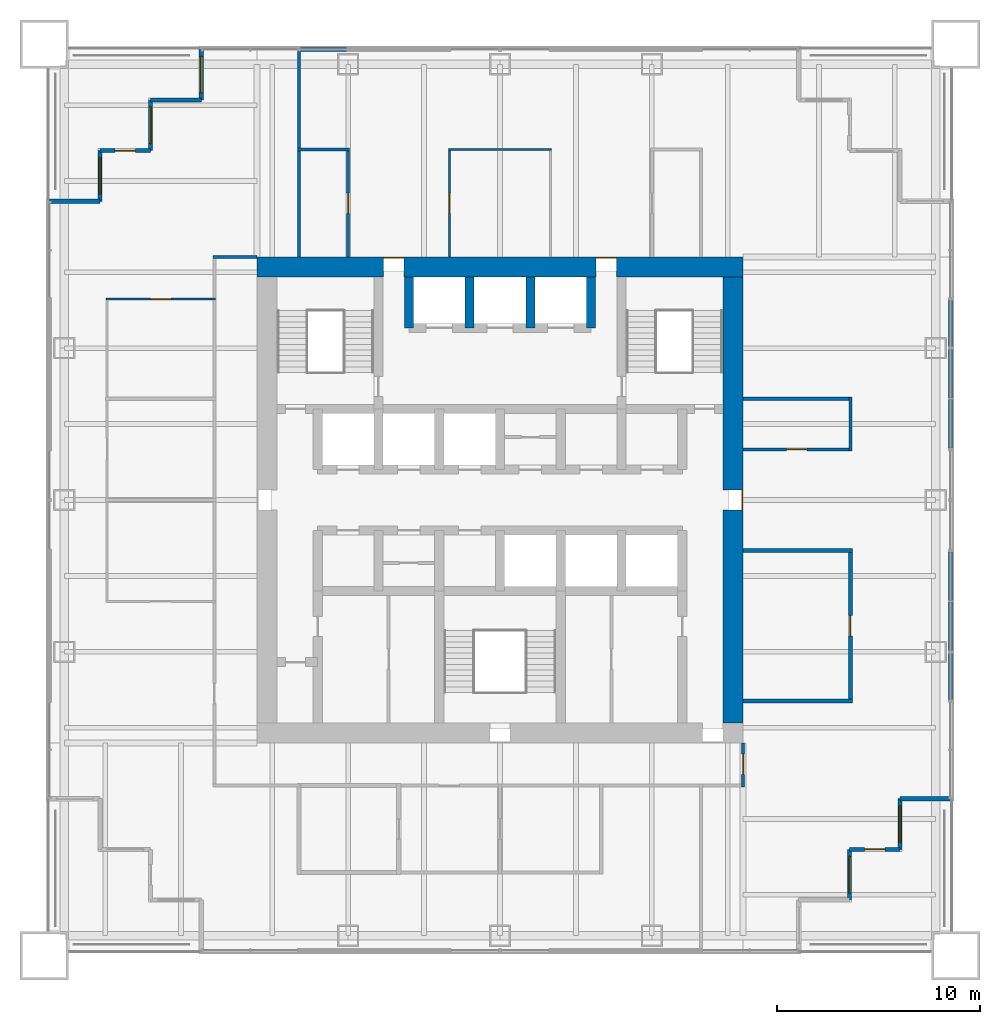
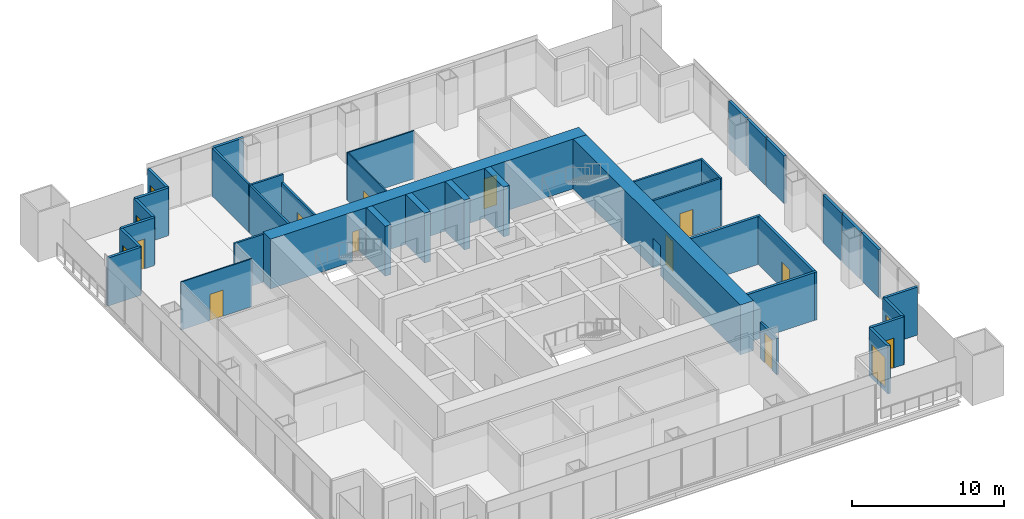
# One storey, part 10 of 13: 37 walls, 11 doors, 5 windows, 16 openings.
"""IFC4 building model written with IfcOpenShell, lengths in metres."""

from ifc_helpers import new_model, si_unit, direction, frame, frame_2d, origin, place, context, subcontext, project, spatial, rectangle, extrude, material, layer, layer_set, type_object, element, fill, save


model = new_model("IFC4")

# Units and contexts
model_context = context("Model", 3, precision=1e-05, world=origin(), true_north=direction((0.0, 1.0)))
body_context = subcontext(model_context, "Body", "Model", "MODEL_VIEW")
ifc_project = project(units=[si_unit("LENGTHUNIT", "METRE"), si_unit("AREAUNIT", "SQUARE_METRE"), si_unit("VOLUMEUNIT", "CUBIC_METRE"), si_unit("PLANEANGLEUNIT", "RADIAN"), si_unit("MASSUNIT", "GRAM", prefix="KILO")], contexts=[model_context])

# Site, building, storey
site_placement = place(None, origin())
site = spatial("IfcSite", under=ifc_project, at=site_placement, CompositionType="ELEMENT")
building_placement = place(site_placement, origin())
building = spatial("IfcBuilding", under=site, at=building_placement, Name="Tarangal Relay Tower", CompositionType="ELEMENT")
storey_placement = place(building_placement, frame((0.0, 0.0, 237.89990234375)))
storey = spatial("IfcBuildingStorey", under=building, at=storey_placement, Name="L51", CompositionType="ELEMENT", Elevation=237.89990234375)

# Walls
ifc_material_1 = material(Name="Two layers gypsum board each side on twin steel studs, mineral wool", Category="steel")
ifc_layer_1 = layer(ifc_material_1, 0.199951171875)
ifc_layer_set_1 = layer_set([ifc_layer_1], Name="Acoustic partition 200")
wall_type_1 = type_object("IfcWallType", Name="Acoustic partition 200", PredefinedType="PARTITIONING", material=ifc_layer_set_1)
for number, where, z_axis, x_axis, name in (
    (1, (12.0, -9.9169921875, 0.0), (0.0, 0.0, 1.0), (1.0, 0.0, 0.0), "Partition PT2 L51"),
    (2, (12.0, -2.5, 0.0), (0.0, 0.0, 1.0), (1.0, 0.0, 0.0), "Partition PT2 L51"),
):
    element("IfcWall", number, at=place(storey_placement, frame(where, z_axis=z_axis, x_axis=x_axis)), inside=storey, type_object=wall_type_1, Name=name, PredefinedType="PARTITIONING", context=body_context, shape_type="SweptSolid", body=[
        extrude(rectangle(XDim=5.39990234375, YDim=0.199951171875, at=frame_2d((2.699951171875, 0.0))), origin(), (0.0, 0.0, 1.0), 3.85009765625),
    ])

# Wall, opening, door
wall_1_placement = place(storey_placement, frame((17.300048828125, -10.01708984375, 0.0), z_axis=(0.0, 0.0, 1.0), x_axis=(0.0, 1.0, 0.0)))
wall_1 = element("IfcWall", 3, at=wall_1_placement, inside=storey, type_object=wall_type_1, Name="Partition PT2 L51", PredefinedType="PARTITIONING", context=body_context, shape_type="SweptSolid", body=[
    extrude(rectangle(XDim=7.6171875, YDim=0.199951171875, at=frame_2d((3.80859375, 0.0))), origin(), (0.0, 0.0, 1.0), 3.85009765625),
])
opening_1_placement = place(wall_1_placement, frame((3.30859375, 0.0, 0.0)))
opening_1 = element("IfcOpeningElement", 4, at=opening_1_placement, cuts=wall_1, Name="Opening D2", PredefinedType="OPENING", context=body_context, shape_type="SweptSolid", body=[
    extrude(rectangle(XDim=1.0, YDim=2.10009765625, at=frame_2d((0.5, 1.050048828125))), frame((0.0, 0.10986328125, 0.0), z_axis=(0.0, -1.0, 0.0), x_axis=(1.0, 0.0, 0.0)), (0.0, 0.0, 1.0), 0.219970703125),
])
ifc_material_2 = material(Name="Hardwood door", Category="wood")
door_type_1 = type_object("IfcDoorType", Name="Door 1000 x 2100", OperationType="SINGLE_SWING_LEFT", PredefinedType="DOOR", material=ifc_material_2)
door_1_placement = place(opening_1_placement, origin())
door_1 = element("IfcDoor", 5, at=door_1_placement, inside=storey, type_object=door_type_1, Name="Door D2 to boardroom L51-06", OperationType="SINGLE_SWING_LEFT", OverallHeight=2.10009765625, OverallWidth=1.0, PredefinedType="DOOR", context=body_context, shape_type="SweptSolid", body=[
    extrude(rectangle(XDim=1.0, YDim=2.10009765625, at=frame_2d((0.5, 1.050048828125))), frame((0.0, 0.02490234375, 0.0), z_axis=(0.0, -1.0, 0.0), x_axis=(1.0, 0.0, 0.0)), (0.0, 0.0, 1.0), 0.050048828125),
])
fill(opening_1, door_1)

# Walls
ifc_material_3 = material(Name="Concrete fc' 60 MPa", Category="concrete")
ifc_layer_2 = layer(ifc_material_3, 0.449951171875)
ifc_layer_set_2 = layer_set([ifc_layer_2], Name="Core inner wall 450")
wall_type_2 = type_object("IfcWallType", Name="Core inner wall 450", PredefinedType="SHEAR", material=ifc_layer_set_2)
for number, where, z_axis, x_axis, name in (
    (6, (-4.5, 8.5, 0.0), (0.0, 0.0, 1.0), (0.0, 1.0, 0.0), "Core wall XM45 L51"),
    (7, (4.5, 8.5, 0.0), (0.0, 0.0, 1.0), (0.0, 1.0, 0.0), "Core wall X45 L51"),
    (8, (-1.5, 8.5, 0.0), (0.0, 0.0, 1.0), (0.0, 1.0, 0.0), "Core wall XM15 L51"),
    (9, (1.5, 8.5, 0.0), (0.0, 0.0, 1.0), (0.0, 1.0, 0.0), "Core wall X15 L51"),
):
    element("IfcWall", number, at=place(storey_placement, frame(where, z_axis=z_axis, x_axis=x_axis)), inside=storey, type_object=wall_type_2, Name=name, PredefinedType="SHEAR", context=body_context, shape_type="SweptSolid", body=[
        extrude(rectangle(XDim=2.5, YDim=0.449951171875, at=frame_2d((1.25, 0.0))), origin(), (0.0, 0.0, 1.0), 4.0),
    ])

# Wall, openings, doors
ifc_layer_3 = layer(ifc_material_3, 1.0)
ifc_layer_set_3 = layer_set([ifc_layer_3], Name="Core wall 1000")
wall_type_3 = type_object("IfcWallType", Name="Core wall 1000", PredefinedType="SHEAR", material=ifc_layer_set_3)
wall_2_placement = place(storey_placement, frame((-12.0, 11.5, 0.0), z_axis=(0.0, 0.0, 1.0), x_axis=(1.0, 0.0, 0.0)))
wall_2 = element("IfcWall", 10, at=wall_2_placement, inside=storey, type_object=wall_type_3, Name="Core wall N L51", PredefinedType="SHEAR", context=body_context, shape_type="SweptSolid", body=[
    extrude(rectangle(XDim=24.0, YDim=1.0, at=frame_2d((12.0, 0.0))), origin(), (0.0, 0.0, 1.0), 4.0),
])
opening_2_placement = place(wall_2_placement, frame((6.25, 0.0, 0.0)))
opening_2 = element("IfcOpeningElement", 11, at=opening_2_placement, cuts=wall_2, Name="Opening FD3", PredefinedType="OPENING", context=body_context, shape_type="SweptSolid", body=[
    extrude(rectangle(XDim=1.0, YDim=2.39990234375, at=frame_2d((0.5, 1.199951171875))), frame((0.0, 0.510009765625, 0.0), z_axis=(0.0, -1.0, 0.0), x_axis=(1.0, 0.0, 0.0)), (0.0, 0.0, 1.0), 1.02001953125),
])
opening_3_placement = place(wall_2_placement, frame((16.75, 0.0, 0.0)))
opening_3 = element("IfcOpeningElement", 12, at=opening_3_placement, cuts=wall_2, Name="Opening FD3", PredefinedType="OPENING", context=body_context, shape_type="SweptSolid", body=[
    extrude(rectangle(XDim=1.0, YDim=2.39990234375, at=frame_2d((0.5, 1.199951171875))), frame((0.0, 0.510009765625, 0.0), z_axis=(0.0, -1.0, 0.0), x_axis=(1.0, 0.0, 0.0)), (0.0, 0.0, 1.0), 1.02001953125),
])
ifc_material_4 = material(Name="Steel door with hardwood frame", Category="steel")
door_type_2 = type_object("IfcDoorType", Name="Fire door 1000 x 2400 core entry", OperationType="SINGLE_SWING_RIGHT", PredefinedType="DOOR", material=ifc_material_4)
door_2_placement = place(opening_2_placement, origin())
door_2 = element("IfcDoor", 13, at=door_2_placement, inside=storey, type_object=door_type_2, Name="Core entry door north west L51", OperationType="SINGLE_SWING_RIGHT", OverallHeight=2.39990234375, OverallWidth=1.0, PredefinedType="DOOR", context=body_context, shape_type="SweptSolid", body=[
    extrude(rectangle(XDim=1.0, YDim=2.39990234375, at=frame_2d((0.5, 1.199951171875))), frame((0.0, 0.48486328125, 0.0), z_axis=(0.0, -1.0, 0.0), x_axis=(1.0, 0.0, 0.0)), (0.0, 0.0, 1.0), 0.050048828125),
])
fill(opening_2, door_2)
door_3_placement = place(opening_3_placement, origin())
door_3 = element("IfcDoor", 14, at=door_3_placement, inside=storey, type_object=door_type_2, Name="Core entry door north east L51", OperationType="SINGLE_SWING_RIGHT", OverallHeight=2.39990234375, OverallWidth=1.0, PredefinedType="DOOR", context=body_context, shape_type="SweptSolid", body=[
    extrude(rectangle(XDim=1.0, YDim=2.39990234375, at=frame_2d((0.5, 1.199951171875))), frame((0.0, 0.48486328125, 0.0), z_axis=(0.0, -1.0, 0.0), x_axis=(1.0, 0.0, 0.0)), (0.0, 0.0, 1.0), 0.050048828125),
])
fill(opening_3, door_3)

# Wall, opening, door
wall_3_placement = place(storey_placement, frame((11.5, 11.0, 0.0), z_axis=(0.0, 0.0, 1.0), x_axis=(0.0, -1.0, 0.0)))
wall_3 = element("IfcWall", 15, at=wall_3_placement, inside=storey, type_object=wall_type_3, Name="Core wall E L51", PredefinedType="SHEAR", context=body_context, shape_type="SweptSolid", body=[
    extrude(rectangle(XDim=22.0, YDim=1.0, at=frame_2d((11.0, 0.0))), origin(), (0.0, 0.0, 1.0), 4.0),
])
opening_4_placement = place(wall_3_placement, frame((10.5, 0.0, 0.0)))
opening_4 = element("IfcOpeningElement", 16, at=opening_4_placement, cuts=wall_3, Name="Opening FD3", PredefinedType="OPENING", context=body_context, shape_type="SweptSolid", body=[
    extrude(rectangle(XDim=1.0, YDim=2.39990234375, at=frame_2d((0.5, 1.199951171875))), frame((0.0, 0.510009765625, 0.0), z_axis=(0.0, -1.0, 0.0), x_axis=(1.0, 0.0, 0.0)), (0.0, 0.0, 1.0), 1.02001953125),
])
door_4_placement = place(opening_4_placement, origin())
door_4 = element("IfcDoor", 17, at=door_4_placement, inside=storey, type_object=door_type_2, Name="Core entry door east L51", OperationType="SINGLE_SWING_RIGHT", OverallHeight=2.39990234375, OverallWidth=1.0, PredefinedType="DOOR", context=body_context, shape_type="SweptSolid", body=[
    extrude(rectangle(XDim=1.0, YDim=2.39990234375, at=frame_2d((0.5, 1.199951171875))), frame((0.0, 0.48486328125, 0.0), z_axis=(0.0, -1.0, 0.0), x_axis=(1.0, 0.0, 0.0)), (0.0, 0.0, 1.0), 0.050048828125),
])
fill(opening_4, door_4)

# Wall
ifc_material_5 = material(Name="Black metal clad insulated wall", Category="steel")
ifc_layer_4 = layer(ifc_material_5, 0.199951171875)
ifc_layer_set_4 = layer_set([ifc_layer_4], Name="Corner wall metal clad 200")
wall_type_4 = type_object("IfcWallType", Name="Corner wall metal clad 200", PredefinedType="SOLIDWALL", material=ifc_layer_set_4)
wall_4_placement = place(storey_placement, frame((22.25, -14.75, 0.0), z_axis=(0.0, 0.0, 1.0), x_axis=(-1.0, 0.0, 0.0)))
element("IfcWall", 18, at=wall_4_placement, inside=storey, type_object=wall_type_4, Name="Facade wall E facade L51", PredefinedType="SOLIDWALL", context=body_context, shape_type="SweptSolid", body=[
    extrude(rectangle(XDim=2.5, YDim=0.199951171875, at=frame_2d((1.25, 0.0))), origin(), (0.0, 0.0, 1.0), 3.85009765625),
])

# Wall, opening, window
wall_5_placement = place(storey_placement, frame((19.75, -14.75, 0.0), z_axis=(0.0, 0.0, 1.0), x_axis=(0.0, -1.0, 0.0)))
wall_5 = element("IfcWall", 19, at=wall_5_placement, inside=storey, type_object=wall_type_4, Name="Facade wall E facade L51", PredefinedType="SOLIDWALL", context=body_context, shape_type="SweptSolid", body=[
    extrude(rectangle(XDim=2.5, YDim=0.199951171875, at=frame_2d((1.25, 0.0))), origin(), (0.0, 0.0, 1.0), 3.85009765625),
])
opening_5_placement = place(wall_5_placement, frame((0.35009765625, 0.0, 0.300048828125)))
opening_5 = element("IfcOpeningElement", 20, at=opening_5_placement, cuts=wall_5, Name="Opening WN2", PredefinedType="OPENING", context=body_context, shape_type="SweptSolid", body=[
    extrude(rectangle(XDim=1.800048828125, YDim=2.39990234375, at=frame_2d((0.89990234375, 1.199951171875))), frame((0.0, 0.10986328125, 0.0), z_axis=(0.0, -1.0, 0.0), x_axis=(1.0, 0.0, 0.0)), (0.0, 0.0, 1.0), 0.219970703125),
])
ifc_material_6 = material(Name="Dark tinted double glazing in black aluminium frame", Category="aluminium")
window_type = type_object("IfcWindowType", Name="Corner window 1800 x 2400", PartitioningType="SINGLE_PANEL", PredefinedType="WINDOW", material=ifc_material_6)
window_1_placement = place(opening_5_placement, origin())
window_1 = element("IfcWindow", 21, at=window_1_placement, inside=storey, type_object=window_type, Name="Corner window WN2 E facade L51", OverallHeight=2.39990234375, OverallWidth=1.800048828125, PartitioningType="SINGLE_PANEL", PredefinedType="WINDOW", context=body_context, shape_type="SweptSolid", body=[
    extrude(rectangle(XDim=1.800048828125, YDim=2.39990234375, at=frame_2d((0.89990234375, 1.199951171875))), frame((0.0, 0.030029296875, 0.0), z_axis=(0.0, -1.0, 0.0), x_axis=(1.0, 0.0, 0.0)), (0.0, 0.0, 1.0), 0.06005859375),
])
fill(opening_5, window_1)

# Wall, opening, door
wall_6_placement = place(storey_placement, frame((19.75, -17.25, 0.0), z_axis=(0.0, 0.0, 1.0), x_axis=(-1.0, 0.0, 0.0)))
wall_6 = element("IfcWall", 22, at=wall_6_placement, inside=storey, type_object=wall_type_4, Name="Facade wall E facade L51", PredefinedType="SOLIDWALL", context=body_context, shape_type="SweptSolid", body=[
    extrude(rectangle(XDim=2.5, YDim=0.199951171875, at=frame_2d((1.25, 0.0))), origin(), (0.0, 0.0, 1.0), 3.85009765625),
])
opening_6_placement = place(wall_6_placement, frame((0.75, 0.0, 0.0)))
opening_6 = element("IfcOpeningElement", 23, at=opening_6_placement, cuts=wall_6, Name="Opening TD1", PredefinedType="OPENING", context=body_context, shape_type="SweptSolid", body=[
    extrude(rectangle(XDim=1.0, YDim=2.39990234375, at=frame_2d((0.5, 1.199951171875))), frame((0.0, 0.10986328125, 0.0), z_axis=(0.0, -1.0, 0.0), x_axis=(1.0, 0.0, 0.0)), (0.0, 0.0, 1.0), 0.219970703125),
])
ifc_material_7 = material(Name="Aluminium glazed door", Category="aluminium")
door_type_3 = type_object("IfcDoorType", Name="Terrace door 1000 x 2400", OperationType="SINGLE_SWING_RIGHT", PredefinedType="DOOR", material=ifc_material_7)
door_5_placement = place(opening_6_placement, origin())
door_5 = element("IfcDoor", 24, at=door_5_placement, inside=storey, type_object=door_type_3, Name="Terrace door TD1 SE L51", OperationType="SINGLE_SWING_RIGHT", OverallHeight=2.39990234375, OverallWidth=1.0, PredefinedType="DOOR", context=body_context, shape_type="SweptSolid", body=[
    extrude(rectangle(XDim=1.0, YDim=2.39990234375, at=frame_2d((0.5, 1.199951171875))), frame((0.0, 0.02490234375, 0.0), z_axis=(0.0, -1.0, 0.0), x_axis=(1.0, 0.0, 0.0)), (0.0, 0.0, 1.0), 0.050048828125),
])
fill(opening_6, door_5)

# Wall, opening, window
wall_7_placement = place(storey_placement, frame((17.25, -17.25, 0.0), z_axis=(0.0, 0.0, 1.0), x_axis=(0.0, -1.0, 0.0)))
wall_7 = element("IfcWall", 25, at=wall_7_placement, inside=storey, type_object=wall_type_4, Name="Facade wall E facade L51", PredefinedType="SOLIDWALL", context=body_context, shape_type="SweptSolid", body=[
    extrude(rectangle(XDim=2.5, YDim=0.199951171875, at=frame_2d((1.25, 0.0))), origin(), (0.0, 0.0, 1.0), 3.85009765625),
])
opening_7_placement = place(wall_7_placement, frame((0.35009765625, 0.0, 0.300048828125)))
opening_7 = element("IfcOpeningElement", 26, at=opening_7_placement, cuts=wall_7, Name="Opening WN2", PredefinedType="OPENING", context=body_context, shape_type="SweptSolid", body=[
    extrude(rectangle(XDim=1.800048828125, YDim=2.39990234375, at=frame_2d((0.89990234375, 1.199951171875))), frame((0.0, 0.10986328125, 0.0), z_axis=(0.0, -1.0, 0.0), x_axis=(1.0, 0.0, 0.0)), (0.0, 0.0, 1.0), 0.219970703125),
])
window_2_placement = place(opening_7_placement, origin())
window_2 = element("IfcWindow", 27, at=window_2_placement, inside=storey, type_object=window_type, Name="Corner window WN2 E facade L51", OverallHeight=2.39990234375, OverallWidth=1.800048828125, PartitioningType="SINGLE_PANEL", PredefinedType="WINDOW", context=body_context, shape_type="SweptSolid", body=[
    extrude(rectangle(XDim=1.800048828125, YDim=2.39990234375, at=frame_2d((0.89990234375, 1.199951171875))), frame((0.0, 0.030029296875, 0.0), z_axis=(0.0, -1.0, 0.0), x_axis=(1.0, 0.0, 0.0)), (0.0, 0.0, 1.0), 0.06005859375),
])
fill(opening_7, window_2)

# Wall
wall_8_placement = place(storey_placement, frame((-22.25, 14.75, 0.0), z_axis=(0.0, 0.0, 1.0), x_axis=(1.0, 0.0, 0.0)))
element("IfcWall", 28, at=wall_8_placement, inside=storey, type_object=wall_type_4, Name="Facade wall W facade L51", PredefinedType="SOLIDWALL", context=body_context, shape_type="SweptSolid", body=[
    extrude(rectangle(XDim=2.5, YDim=0.199951171875, at=frame_2d((1.25, 0.0))), origin(), (0.0, 0.0, 1.0), 3.85009765625),
])

# Wall, opening, window
wall_9_placement = place(storey_placement, frame((-19.75, 14.75, 0.0), z_axis=(0.0, 0.0, 1.0), x_axis=(0.0, 1.0, 0.0)))
wall_9 = element("IfcWall", 29, at=wall_9_placement, inside=storey, type_object=wall_type_4, Name="Facade wall W facade L51", PredefinedType="SOLIDWALL", context=body_context, shape_type="SweptSolid", body=[
    extrude(rectangle(XDim=2.5, YDim=0.199951171875, at=frame_2d((1.25, 0.0))), origin(), (0.0, 0.0, 1.0), 3.85009765625),
])
opening_8_placement = place(wall_9_placement, frame((0.35009765625, 0.0, 0.300048828125)))
opening_8 = element("IfcOpeningElement", 30, at=opening_8_placement, cuts=wall_9, Name="Opening WN2", PredefinedType="OPENING", context=body_context, shape_type="SweptSolid", body=[
    extrude(rectangle(XDim=1.800048828125, YDim=2.39990234375, at=frame_2d((0.89990234375, 1.199951171875))), frame((0.0, 0.10986328125, 0.0), z_axis=(0.0, -1.0, 0.0), x_axis=(1.0, 0.0, 0.0)), (0.0, 0.0, 1.0), 0.219970703125),
])
window_3_placement = place(opening_8_placement, origin())
window_3 = element("IfcWindow", 31, at=window_3_placement, inside=storey, type_object=window_type, Name="Corner window WN2 W facade L51", OverallHeight=2.39990234375, OverallWidth=1.800048828125, PartitioningType="SINGLE_PANEL", PredefinedType="WINDOW", context=body_context, shape_type="SweptSolid", body=[
    extrude(rectangle(XDim=1.800048828125, YDim=2.39990234375, at=frame_2d((0.89990234375, 1.199951171875))), frame((0.0, 0.030029296875, 0.0), z_axis=(0.0, -1.0, 0.0), x_axis=(1.0, 0.0, 0.0)), (0.0, 0.0, 1.0), 0.06005859375),
])
fill(opening_8, window_3)

# Wall, opening, door
wall_10_placement = place(storey_placement, frame((-19.75, 17.25, 0.0), z_axis=(0.0, 0.0, 1.0), x_axis=(1.0, 0.0, 0.0)))
wall_10 = element("IfcWall", 32, at=wall_10_placement, inside=storey, type_object=wall_type_4, Name="Facade wall W facade L51", PredefinedType="SOLIDWALL", context=body_context, shape_type="SweptSolid", body=[
    extrude(rectangle(XDim=2.5, YDim=0.199951171875, at=frame_2d((1.25, 0.0))), origin(), (0.0, 0.0, 1.0), 3.85009765625),
])
opening_9_placement = place(wall_10_placement, frame((0.75, 0.0, 0.0)))
opening_9 = element("IfcOpeningElement", 33, at=opening_9_placement, cuts=wall_10, Name="Opening TD1", PredefinedType="OPENING", context=body_context, shape_type="SweptSolid", body=[
    extrude(rectangle(XDim=1.0, YDim=2.39990234375, at=frame_2d((0.5, 1.199951171875))), frame((0.0, 0.10986328125, 0.0), z_axis=(0.0, -1.0, 0.0), x_axis=(1.0, 0.0, 0.0)), (0.0, 0.0, 1.0), 0.219970703125),
])
door_6_placement = place(opening_9_placement, origin())
door_6 = element("IfcDoor", 34, at=door_6_placement, inside=storey, type_object=door_type_3, Name="Terrace door TD1 NW L51", OperationType="SINGLE_SWING_RIGHT", OverallHeight=2.39990234375, OverallWidth=1.0, PredefinedType="DOOR", context=body_context, shape_type="SweptSolid", body=[
    extrude(rectangle(XDim=1.0, YDim=2.39990234375, at=frame_2d((0.5, 1.199951171875))), frame((0.0, 0.02490234375, 0.0), z_axis=(0.0, -1.0, 0.0), x_axis=(1.0, 0.0, 0.0)), (0.0, 0.0, 1.0), 0.050048828125),
])
fill(opening_9, door_6)

# Wall, opening, window
wall_11_placement = place(storey_placement, frame((-17.25, 17.25, 0.0), z_axis=(0.0, 0.0, 1.0), x_axis=(0.0, 1.0, 0.0)))
wall_11 = element("IfcWall", 35, at=wall_11_placement, inside=storey, type_object=wall_type_4, Name="Facade wall W facade L51", PredefinedType="SOLIDWALL", context=body_context, shape_type="SweptSolid", body=[
    extrude(rectangle(XDim=2.5, YDim=0.199951171875, at=frame_2d((1.25, 0.0))), origin(), (0.0, 0.0, 1.0), 3.85009765625),
])
opening_10_placement = place(wall_11_placement, frame((0.35009765625, 0.0, 0.300048828125)))
opening_10 = element("IfcOpeningElement", 36, at=opening_10_placement, cuts=wall_11, Name="Opening WN2", PredefinedType="OPENING", context=body_context, shape_type="SweptSolid", body=[
    extrude(rectangle(XDim=1.800048828125, YDim=2.39990234375, at=frame_2d((0.89990234375, 1.199951171875))), frame((0.0, 0.10986328125, 0.0), z_axis=(0.0, -1.0, 0.0), x_axis=(1.0, 0.0, 0.0)), (0.0, 0.0, 1.0), 0.219970703125),
])
window_4_placement = place(opening_10_placement, origin())
window_4 = element("IfcWindow", 37, at=window_4_placement, inside=storey, type_object=window_type, Name="Corner window WN2 W facade L51", OverallHeight=2.39990234375, OverallWidth=1.800048828125, PartitioningType="SINGLE_PANEL", PredefinedType="WINDOW", context=body_context, shape_type="SweptSolid", body=[
    extrude(rectangle(XDim=1.800048828125, YDim=2.39990234375, at=frame_2d((0.89990234375, 1.199951171875))), frame((0.0, 0.030029296875, 0.0), z_axis=(0.0, -1.0, 0.0), x_axis=(1.0, 0.0, 0.0)), (0.0, 0.0, 1.0), 0.06005859375),
])
fill(opening_10, window_4)

# Wall
wall_12_placement = place(storey_placement, frame((-17.25, 19.75, 0.0), z_axis=(0.0, 0.0, 1.0), x_axis=(1.0, 0.0, 0.0)))
element("IfcWall", 38, at=wall_12_placement, inside=storey, type_object=wall_type_4, Name="Facade wall W facade L51", PredefinedType="SOLIDWALL", context=body_context, shape_type="SweptSolid", body=[
    extrude(rectangle(XDim=2.5, YDim=0.199951171875, at=frame_2d((1.25, 0.0))), origin(), (0.0, 0.0, 1.0), 3.85009765625),
])

# Wall, opening, window
wall_13_placement = place(storey_placement, frame((-14.75, 19.75, 0.0), z_axis=(0.0, 0.0, 1.0), x_axis=(0.0, 1.0, 0.0)))
wall_13 = element("IfcWall", 39, at=wall_13_placement, inside=storey, type_object=wall_type_4, Name="Facade wall W facade L51", PredefinedType="SOLIDWALL", context=body_context, shape_type="SweptSolid", body=[
    extrude(rectangle(XDim=2.5, YDim=0.199951171875, at=frame_2d((1.25, 0.0))), origin(), (0.0, 0.0, 1.0), 3.85009765625),
])
opening_11_placement = place(wall_13_placement, frame((0.35009765625, 0.0, 0.300048828125)))
opening_11 = element("IfcOpeningElement", 40, at=opening_11_placement, cuts=wall_13, Name="Opening WN2", PredefinedType="OPENING", context=body_context, shape_type="SweptSolid", body=[
    extrude(rectangle(XDim=1.800048828125, YDim=2.39990234375, at=frame_2d((0.89990234375, 1.199951171875))), frame((0.0, 0.10986328125, 0.0), z_axis=(0.0, -1.0, 0.0), x_axis=(1.0, 0.0, 0.0)), (0.0, 0.0, 1.0), 0.219970703125),
])
window_5_placement = place(opening_11_placement, origin())
window_5 = element("IfcWindow", 41, at=window_5_placement, inside=storey, type_object=window_type, Name="Corner window WN2 W facade L51", OverallHeight=2.39990234375, OverallWidth=1.800048828125, PartitioningType="SINGLE_PANEL", PredefinedType="WINDOW", context=body_context, shape_type="SweptSolid", body=[
    extrude(rectangle(XDim=1.800048828125, YDim=2.39990234375, at=frame_2d((0.89990234375, 1.199951171875))), frame((0.0, 0.030029296875, 0.0), z_axis=(0.0, -1.0, 0.0), x_axis=(1.0, 0.0, 0.0)), (0.0, 0.0, 1.0), 0.06005859375),
])
fill(opening_11, window_5)

# Walls
ifc_layer_5 = layer(ifc_material_5, 0.199951171875)
ifc_layer_set_5 = layer_set([ifc_layer_5], Name="Facade infill wall metal clad 200")
wall_type_5 = type_object("IfcWallType", Name="Facade infill wall metal clad 200", PredefinedType="SOLIDWALL", material=ifc_layer_set_5)
for number, where, z_axis, x_axis, name in (
    (42, (-9.851806640625, 22.25, 0.0), (0.0, 0.0, 1.0), (1.0, 0.0, 0.0), "Facade infill wall N facade L51 1.1"),
    (43, (22.25, 9.851806640625, 0.0), (0.0, 0.0, 1.0), (0.0, -1.0, 0.0), "Facade infill wall E facade L51 1.1"),
):
    element("IfcWall", number, at=place(storey_placement, frame(where, z_axis=z_axis, x_axis=x_axis)), inside=storey, type_object=wall_type_5, Name=name, PredefinedType="SOLIDWALL", context=body_context, shape_type="SweptSolid", body=[
        extrude(rectangle(XDim=2.286865234375, YDim=0.199951171875, at=frame_2d((1.1435546875, 0.0))), origin(), (0.0, 0.0, 1.0), 3.85009765625),
    ])
for number, where, z_axis, x_axis, name in (
    (44, (22.25, 7.43505859375, 0.0), (0.0, 0.0, 1.0), (0.0, -1.0, 0.0), "Facade infill wall E facade L51 1.1"),
    (45, (22.25, 4.967529296875, 0.0), (0.0, 0.0, 1.0), (0.0, -1.0, 0.0), "Facade infill wall E facade L51 2.1"),
    (46, (22.25, -2.56494140625, 0.0), (0.0, 0.0, 1.0), (0.0, -1.0, 0.0), "Facade infill wall E facade L51 1.1"),
    (47, (22.25, -5.032470703125, 0.0), (0.0, 0.0, 1.0), (0.0, -1.0, 0.0), "Facade infill wall E facade L51 2.1"),
):
    element("IfcWall", number, at=place(storey_placement, frame(where, z_axis=z_axis, x_axis=x_axis)), inside=storey, type_object=wall_type_5, Name=name, PredefinedType="SOLIDWALL", context=body_context, shape_type="SweptSolid", body=[
        extrude(rectangle(XDim=2.402587890625, YDim=0.199951171875, at=frame_2d((1.201171875, 0.0))), origin(), (0.0, 0.0, 1.0), 3.85009765625),
    ])
wall_14_placement = place(storey_placement, frame((22.25, -7.56494140625, 0.0), z_axis=(0.0, 0.0, 1.0), x_axis=(0.0, -1.0, 0.0)))
element("IfcWall", 48, at=wall_14_placement, inside=storey, type_object=wall_type_5, Name="Facade infill wall E facade L51 1.1", PredefinedType="SOLIDWALL", context=body_context, shape_type="SweptSolid", body=[
    extrude(rectangle(XDim=2.286865234375, YDim=0.199951171875, at=frame_2d((1.1435546875, 0.0))), origin(), (0.0, 0.0, 1.0), 3.85009765625),
])

# Wall, opening, door
ifc_material_8 = material(Name="Double glazed aluminium framed partition", Category="aluminium")
ifc_layer_6 = layer(ifc_material_8, 0.10009765625)
ifc_layer_set_6 = layer_set([ifc_layer_6], Name="Glazed partition 100")
wall_type_6 = type_object("IfcWallType", Name="Glazed partition 100", PredefinedType="PARTITIONING", material=ifc_layer_set_6)
wall_15_placement = place(storey_placement, frame((-19.449951171875, 9.9169921875, 0.0), z_axis=(0.0, 0.0, 1.0), x_axis=(1.0, 0.0, 0.0)))
wall_15 = element("IfcWall", 49, at=wall_15_placement, inside=storey, type_object=wall_type_6, Name="Partition PT3 L51", PredefinedType="PARTITIONING", context=body_context, shape_type="SweptSolid", body=[
    extrude(rectangle(XDim=5.39990234375, YDim=0.10009765625, at=frame_2d((2.699951171875, 0.0))), origin(), (0.0, 0.0, 1.0), 3.85009765625),
])
opening_12_placement = place(wall_15_placement, frame((2.199951171875, 0.0, 0.0)))
opening_12 = element("IfcOpeningElement", 50, at=opening_12_placement, cuts=wall_15, Name="Opening D3", PredefinedType="OPENING", context=body_context, shape_type="SweptSolid", body=[
    extrude(rectangle(XDim=1.0, YDim=2.10009765625, at=frame_2d((0.5, 1.050048828125))), frame((0.0, 0.06005859375, 0.0), z_axis=(0.0, -1.0, 0.0), x_axis=(1.0, 0.0, 0.0)), (0.0, 0.0, 1.0), 0.1201171875),
])
ifc_material_9 = material(Name="Frameless glass door", Category="glass")
door_type_4 = type_object("IfcDoorType", Name="Glazed door 1000 x 2100", OperationType="SINGLE_SWING_LEFT", PredefinedType="DOOR", material=ifc_material_9)
door_7_placement = place(opening_12_placement, origin())
door_7 = element("IfcDoor", 51, at=door_7_placement, inside=storey, type_object=door_type_4, Name="Door D3 to meeting room L51-12", OperationType="SINGLE_SWING_LEFT", OverallHeight=2.10009765625, OverallWidth=1.0, PredefinedType="DOOR", context=body_context, shape_type="SweptSolid", body=[
    extrude(rectangle(XDim=1.0, YDim=2.10009765625, at=frame_2d((0.5, 1.050048828125))), frame((0.0, 0.02490234375, 0.0), z_axis=(0.0, -1.0, 0.0), x_axis=(1.0, 0.0, 0.0)), (0.0, 0.0, 1.0), 0.050048828125),
])
fill(opening_12, door_7)

# Wall
wall_16_placement = place(storey_placement, frame((-2.550048828125, 17.300048828125, 0.0), z_axis=(0.0, 0.0, 1.0), x_axis=(1.0, 0.0, 0.0)))
element("IfcWall", 52, at=wall_16_placement, inside=storey, type_object=wall_type_6, Name="Partition PT3 L51", PredefinedType="PARTITIONING", context=body_context, shape_type="SweptSolid", body=[
    extrude(rectangle(XDim=5.10009765625, YDim=0.10009765625, at=frame_2d((2.550048828125, 0.0))), origin(), (0.0, 0.0, 1.0), 3.85009765625),
])

# Wall, opening, door
wall_17_placement = place(storey_placement, frame((-2.5, 12.0, 0.0), z_axis=(0.0, 0.0, 1.0), x_axis=(0.0, 1.0, 0.0)))
wall_17 = element("IfcWall", 53, at=wall_17_placement, inside=storey, type_object=wall_type_6, Name="Partition PT3 L51", PredefinedType="PARTITIONING", context=body_context, shape_type="SweptSolid", body=[
    extrude(rectangle(XDim=5.35009765625, YDim=0.10009765625, at=frame_2d((2.675048828125, 0.0))), origin(), (0.0, 0.0, 1.0), 3.85009765625),
])
opening_13_placement = place(wall_17_placement, frame((2.14990234375, 0.0, 0.0)))
opening_13 = element("IfcOpeningElement", 54, at=opening_13_placement, cuts=wall_17, Name="Opening D3", PredefinedType="OPENING", context=body_context, shape_type="SweptSolid", body=[
    extrude(rectangle(XDim=1.0, YDim=2.10009765625, at=frame_2d((0.5, 1.050048828125))), frame((0.0, 0.06005859375, 0.0), z_axis=(0.0, -1.0, 0.0), x_axis=(1.0, 0.0, 0.0)), (0.0, 0.0, 1.0), 0.1201171875),
])
door_8_placement = place(opening_13_placement, origin())
door_8 = element("IfcDoor", 55, at=door_8_placement, inside=storey, type_object=door_type_4, Name="Door D3 to meeting room L51-03", OperationType="SINGLE_SWING_LEFT", OverallHeight=2.10009765625, OverallWidth=1.0, PredefinedType="DOOR", context=body_context, shape_type="SweptSolid", body=[
    extrude(rectangle(XDim=1.0, YDim=2.10009765625, at=frame_2d((0.5, 1.050048828125))), frame((0.0, 0.02490234375, 0.0), z_axis=(0.0, -1.0, 0.0), x_axis=(1.0, 0.0, 0.0)), (0.0, 0.0, 1.0), 0.050048828125),
])
fill(opening_13, door_8)

ifc_material_10 = material(Name="Gypsum board on steel studs", Category="steel")
ifc_layer_7 = layer(ifc_material_10, 0.14990234375)
ifc_layer_set_7 = layer_set([ifc_layer_7], Name="Partition 150")
wall_type_7 = type_object("IfcWallType", Name="Partition 150", PredefinedType="PARTITIONING", material=ifc_layer_set_7)
wall_18_placement = place(storey_placement, frame((12.0, 2.5, 0.0), z_axis=(0.0, 0.0, 1.0), x_axis=(1.0, 0.0, 0.0)))
wall_18 = element("IfcWall", 56, at=wall_18_placement, inside=storey, type_object=wall_type_7, Name="Partition PT1 L51", PredefinedType="PARTITIONING", context=body_context, shape_type="SweptSolid", body=[
    extrude(rectangle(XDim=5.375, YDim=0.14990234375, at=frame_2d((2.6875, 0.0))), origin(), (0.0, 0.0, 1.0), 3.85009765625),
])
opening_14_placement = place(wall_18_placement, frame((2.14990234375, 0.0, 0.0)))
opening_14 = element("IfcOpeningElement", 57, at=opening_14_placement, cuts=wall_18, Name="Opening D2", PredefinedType="OPENING", context=body_context, shape_type="SweptSolid", body=[
    extrude(rectangle(XDim=1.0, YDim=2.10009765625, at=frame_2d((0.5, 1.050048828125))), frame((0.0, 0.0849609375, 0.0), z_axis=(0.0, -1.0, 0.0), x_axis=(1.0, 0.0, 0.0)), (0.0, 0.0, 1.0), 0.169921875),
])
door_9_placement = place(opening_14_placement, origin())
door_9 = element("IfcDoor", 58, at=door_9_placement, inside=storey, type_object=door_type_1, Name="Door D2 to tea pantry L51-05", OperationType="SINGLE_SWING_LEFT", OverallHeight=2.10009765625, OverallWidth=1.0, PredefinedType="DOOR", context=body_context, shape_type="SweptSolid", body=[
    extrude(rectangle(XDim=1.0, YDim=2.10009765625, at=frame_2d((0.5, 1.050048828125))), frame((0.0, 0.02490234375, 0.0), z_axis=(0.0, -1.0, 0.0), x_axis=(1.0, 0.0, 0.0)), (0.0, 0.0, 1.0), 0.050048828125),
])
fill(opening_14, door_9)

# Walls
wall_19_placement = place(storey_placement, frame((12.0, 5.0, 0.0), z_axis=(0.0, 0.0, 1.0), x_axis=(1.0, 0.0, 0.0)))
element("IfcWall", 59, at=wall_19_placement, inside=storey, type_object=wall_type_7, Name="Partition PT1 L51", PredefinedType="PARTITIONING", context=body_context, shape_type="SweptSolid", body=[
    extrude(rectangle(XDim=5.375, YDim=0.14990234375, at=frame_2d((2.6875, 0.0))), origin(), (0.0, 0.0, 1.0), 3.85009765625),
])
wall_20_placement = place(storey_placement, frame((-14.175048828125, 12.0, 0.0), z_axis=(0.0, 0.0, 1.0), x_axis=(1.0, 0.0, 0.0)))
element("IfcWall", 60, at=wall_20_placement, inside=storey, type_object=wall_type_7, Name="Partition PT1 L51", PredefinedType="PARTITIONING", context=body_context, shape_type="SweptSolid", body=[
    extrude(rectangle(XDim=2.175048828125, YDim=0.14990234375, at=frame_2d((1.08740234375, 0.0))), origin(), (0.0, 0.0, 1.0), 3.85009765625),
])
wall_21_placement = place(storey_placement, frame((-9.991943359375, 17.300048828125, 0.0), z_axis=(0.0, 0.0, 1.0), x_axis=(1.0, 0.0, 0.0)))
element("IfcWall", 61, at=wall_21_placement, inside=storey, type_object=wall_type_7, Name="Partition PT1 L51", PredefinedType="PARTITIONING", context=body_context, shape_type="SweptSolid", body=[
    extrude(rectangle(XDim=2.56689453125, YDim=0.14990234375, at=frame_2d((1.283447265625, 0.0))), origin(), (0.0, 0.0, 1.0), 3.85009765625),
])
wall_22_placement = place(storey_placement, frame((-9.9169921875, 12.0, 0.0), z_axis=(0.0, 0.0, 1.0), x_axis=(0.0, 1.0, 0.0)))
element("IfcWall", 62, at=wall_22_placement, inside=storey, type_object=wall_type_7, Name="Partition PT1 L51", PredefinedType="PARTITIONING", context=body_context, shape_type="SweptSolid", body=[
    extrude(rectangle(XDim=10.14990234375, YDim=0.14990234375, at=frame_2d((5.074951171875, 0.0))), origin(), (0.0, 0.0, 1.0), 3.85009765625),
])

# Wall, opening, door
wall_23_placement = place(storey_placement, frame((-7.5, 12.0, 0.0), z_axis=(0.0, 0.0, 1.0), x_axis=(0.0, 1.0, 0.0)))
wall_23 = element("IfcWall", 63, at=wall_23_placement, inside=storey, type_object=wall_type_7, Name="Partition PT1 L51", PredefinedType="PARTITIONING", context=body_context, shape_type="SweptSolid", body=[
    extrude(rectangle(XDim=5.375, YDim=0.14990234375, at=frame_2d((2.6875, 0.0))), origin(), (0.0, 0.0, 1.0), 3.238037109375),
])
opening_15_placement = place(wall_23_placement, frame((2.14990234375, 0.0, 0.0)))
opening_15 = element("IfcOpeningElement", 64, at=opening_15_placement, cuts=wall_23, Name="Opening D2", PredefinedType="OPENING", context=body_context, shape_type="SweptSolid", body=[
    extrude(rectangle(XDim=1.0, YDim=2.10009765625, at=frame_2d((0.5, 1.050048828125))), frame((0.0, 0.0849609375, 0.0), z_axis=(0.0, -1.0, 0.0), x_axis=(1.0, 0.0, 0.0)), (0.0, 0.0, 1.0), 0.169921875),
])
door_10_placement = place(opening_15_placement, origin())
door_10 = element("IfcDoor", 65, at=door_10_placement, inside=storey, type_object=door_type_1, Name="Door D2 to cellular office L51-02", OperationType="SINGLE_SWING_LEFT", OverallHeight=2.10009765625, OverallWidth=1.0, PredefinedType="DOOR", context=body_context, shape_type="SweptSolid", body=[
    extrude(rectangle(XDim=1.0, YDim=2.10009765625, at=frame_2d((0.5, 1.050048828125))), frame((0.0, 0.02490234375, 0.0), z_axis=(0.0, -1.0, 0.0), x_axis=(1.0, 0.0, 0.0)), (0.0, 0.0, 1.0), 0.050048828125),
])
fill(opening_15, door_10)

wall_24_placement = place(storey_placement, frame((12.0, -14.175048828125, 0.0), z_axis=(0.0, 0.0, 1.0), x_axis=(0.0, 1.0, 0.0)))
wall_24 = element("IfcWall", 66, at=wall_24_placement, inside=storey, type_object=wall_type_7, Name="Partition PT1 L51", PredefinedType="PARTITIONING", context=body_context, shape_type="SweptSolid", body=[
    extrude(rectangle(XDim=2.175048828125, YDim=0.14990234375, at=frame_2d((1.08740234375, 0.0))), origin(), (0.0, 0.0, 1.0), 2.907958984375),
])
opening_16_placement = place(wall_24_placement, frame((0.625, 0.0, 0.0)))
opening_16 = element("IfcOpeningElement", 67, at=opening_16_placement, cuts=wall_24, Name="Opening SD1", PredefinedType="OPENING", context=body_context, shape_type="SweptSolid", body=[
    extrude(rectangle(XDim=1.0, YDim=2.39990234375, at=frame_2d((0.5, 1.199951171875))), frame((0.0, 0.0849609375, 0.0), z_axis=(0.0, -1.0, 0.0), x_axis=(1.0, 0.0, 0.0)), (0.0, 0.0, 1.0), 0.169921875),
])
door_type_5 = type_object("IfcDoorType", Name="Suite entrance door 1000 x 2400", OperationType="SINGLE_SWING_RIGHT", PredefinedType="DOOR", material=ifc_material_4)
door_11_placement = place(opening_16_placement, origin())
door_11 = element("IfcDoor", 68, at=door_11_placement, inside=storey, type_object=door_type_5, Name="Door SD1 to open plan office L51-13", OperationType="SINGLE_SWING_RIGHT", OverallHeight=2.39990234375, OverallWidth=1.0, PredefinedType="DOOR", context=body_context, shape_type="SweptSolid", body=[
    extrude(rectangle(XDim=1.0, YDim=2.39990234375, at=frame_2d((0.5, 1.199951171875))), frame((0.0, 0.02490234375, 0.0), z_axis=(0.0, -1.0, 0.0), x_axis=(1.0, 0.0, 0.0)), (0.0, 0.0, 1.0), 0.050048828125),
])
fill(opening_16, door_11)

# Wall
wall_25_placement = place(storey_placement, frame((17.300048828125, 2.425048828125, 0.0), z_axis=(0.0, 0.0, 1.0), x_axis=(0.0, 1.0, 0.0)))
element("IfcWall", 69, at=wall_25_placement, inside=storey, type_object=wall_type_7, Name="Partition PT1 L51", PredefinedType="PARTITIONING", context=body_context, shape_type="SweptSolid", body=[
    extrude(rectangle(XDim=2.64990234375, YDim=0.14990234375, at=frame_2d((1.324951171875, 0.0))), origin(), (0.0, 0.0, 1.0), 3.85009765625),
])

save(model, "model.ifc")
